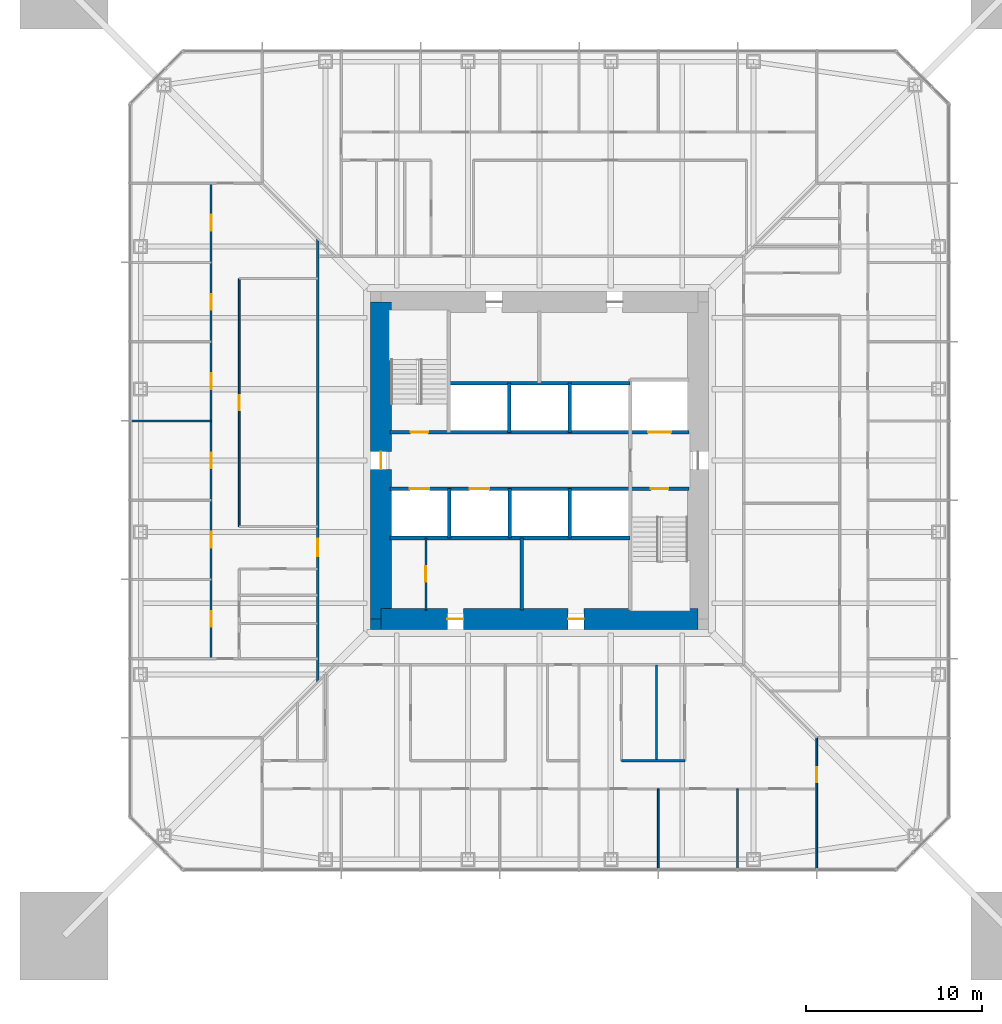
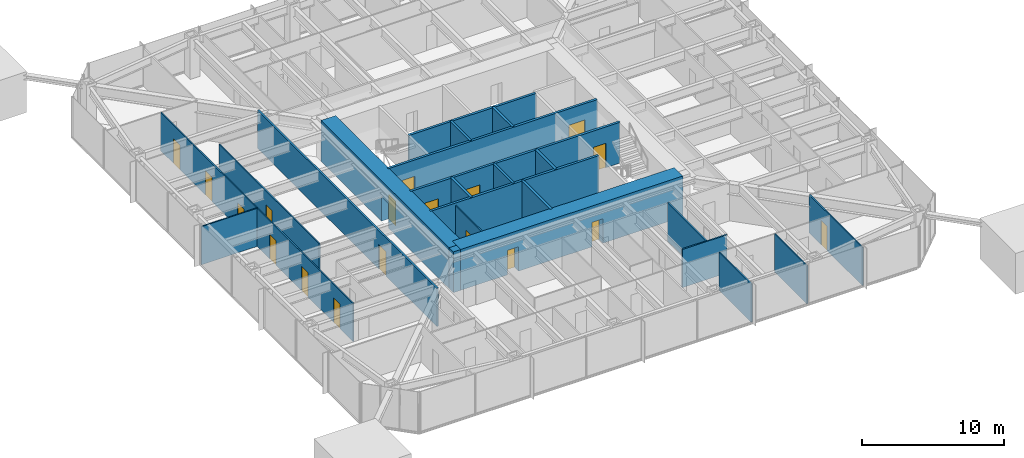
# One storey, part 15 of 26: 23 walls, 18 doors, 18 openings.
"""IFC4 building model written with IfcOpenShell, lengths in metres."""

import ifcopenshell
import ifcopenshell.guid

model = None  # the IFC model being written
_history = None  # IfcOwnerHistory: only IFC2X3 demands one
_inside = {}  # id of a spatial element -> (the spatial element, [elements in it])
_under = {}  # id of a project, library or spatial element -> (it, [spatial elements below it])
_declared = {}  # id of a project -> (the project, [libraries it declares])
_typed = {}  # id of a type object -> (the type object, [elements of that type])
_made_of = {}  # id of a material, layer set ... -> (it, [elements and type objects made of it])


def new_model(schema):
    """Start an empty IFC model of exactly this schema.

    Asked for "IFC4X3", IfcOpenShell would pick the latest addendum, in which some entities
    have other attributes; the version numbers below select the first issue.
    IFC2X3 requires an IfcOwnerHistory on every rooted entity: one is made here for all.
    """
    global model, _history
    if schema == "IFC4X3":
        model = ifcopenshell.file(schema_version=(4, 3, 0, 0))
    else:
        model = ifcopenshell.file(schema=schema)
    _inside.clear()
    _under.clear()
    _declared.clear()
    _typed.clear()
    _made_of.clear()
    _history = None
    if model.schema == "IFC2X3":
        org = make("IfcOrganization", Name="unknown")
        user = make(
            "IfcPersonAndOrganization",
            ThePerson=make("IfcPerson", FamilyName="unknown"),
            TheOrganization=org,
        )
        app = make(
            "IfcApplication",
            ApplicationDeveloper=org,
            Version="unknown",
            ApplicationFullName="unknown",
            ApplicationIdentifier="unknown",
        )
        _history = make(
            "IfcOwnerHistory",
            OwningUser=user,
            OwningApplication=app,
            ChangeAction="ADDED",
            CreationDate=0,
        )
    return model


def make(cls, **values):
    """One entity of the class cls with the attributes given. An attribute that is None is left unset."""
    return model.create_entity(
        cls, **{name: value for name, value in values.items() if value is not None}
    )


def rooted(cls, **values):
    """An entity with a GlobalId (a new one), such as an element, a storey or a relation."""
    return make(cls, GlobalId=ifcopenshell.guid.new(), OwnerHistory=_history, **values)


def si_unit(unit_type, name, prefix=None):
    """IfcSIUnit, for example si_unit("LENGTHUNIT", "METRE", prefix="MILLI")."""
    return make("IfcSIUnit", UnitType=unit_type, Prefix=prefix, Name=name)


def assignment(units):
    """IfcUnitAssignment: the units of a project."""
    return None if units is None else make("IfcUnitAssignment", Units=units)


def point(xyz):
    """IfcCartesianPoint."""
    return None if xyz is None else make("IfcCartesianPoint", Coordinates=xyz)


def direction(xyz):
    """IfcDirection."""
    return None if xyz is None else make("IfcDirection", DirectionRatios=xyz)


def frame(location, z_axis=None, x_axis=None):
    """IfcAxis2Placement3D, a coordinate frame: its origin and axes. An axis left out is left unset."""
    return make(
        "IfcAxis2Placement3D",
        Location=point(location),
        Axis=direction(z_axis),
        RefDirection=direction(x_axis),
    )


def frame_2d(location, x_axis=None):
    """IfcAxis2Placement2D, a coordinate frame in the plane: its origin and x axis."""
    return make(
        "IfcAxis2Placement2D", Location=point(location), RefDirection=direction(x_axis)
    )


def origin():
    """The frame at (0, 0, 0) with its axes left unset."""
    return frame((0.0, 0.0, 0.0))


def place(relative_to, where):
    """IfcLocalPlacement: puts the frame where relative to a parent placement (None: the world)."""
    return make(
        "IfcLocalPlacement", PlacementRelTo=relative_to, RelativePlacement=where
    )


def context(
    kind, dimensions, precision=None, world=None, true_north=None, identifier=None
):
    """IfcGeometricRepresentationContext, for example the 3D "Model" context."""
    return make(
        "IfcGeometricRepresentationContext",
        ContextIdentifier=identifier,
        ContextType=kind,
        CoordinateSpaceDimension=dimensions,
        Precision=precision,
        WorldCoordinateSystem=world,
        TrueNorth=true_north,
    )


def subcontext(parent, identifier, kind, view, scale=None):
    """IfcGeometricRepresentationSubContext, for example "Body" below "Model"."""
    return make(
        "IfcGeometricRepresentationSubContext",
        ContextIdentifier=identifier,
        ContextType=kind,
        ParentContext=parent,
        TargetScale=scale,
        TargetView=view,
    )


def project(units=None, contexts=None):
    """IfcProject with its units and contexts."""
    return rooted(
        "IfcProject",
        Name="project",
        RepresentationContexts=contexts,
        UnitsInContext=assignment(units),
    )


def spatial(cls, under=None, at=None, **own):
    """A site, building, storey or space (cls), placed at a placement, below another one or the project."""
    s = rooted(cls, ObjectPlacement=at, **own)
    if under is not None:
        _under.setdefault(under.id(), (under, []))[1].append(s)
    return s


def profile(cls, at=None, kind="AREA", **sizes):
    """A parametric profile (cls). Its sizes go by their IFC names, for example OverallWidth=200.0."""
    return make(cls, ProfileType=kind, Position=at, **sizes)


def rectangle(**sizes):
    """IfcRectangleProfileDef."""
    return profile("IfcRectangleProfileDef", **sizes)


def extrude(swept, where, along, depth):
    """IfcExtrudedAreaSolid: the profile swept, set in the frame where, extruded along a direction by depth."""
    return make(
        "IfcExtrudedAreaSolid",
        SweptArea=swept,
        Position=where,
        ExtrudedDirection=direction(along),
        Depth=depth,
    )


def shape(context_of_items, identifier, shape_type, items):
    """IfcShapeRepresentation: the items that make up one representation, for example the "Body"."""
    return make(
        "IfcShapeRepresentation",
        ContextOfItems=context_of_items,
        RepresentationIdentifier=identifier,
        RepresentationType=shape_type,
        Items=items,
    )


def material(Name=None, Category=None):
    """IfcMaterial."""
    return make("IfcMaterial", Name=Name, Category=Category)


def layer(
    of_material, thickness, ventilated=None, Name=None, Category=None, Priority=None
):
    """IfcMaterialLayer: one layer of a wall or slab, of a material (None: an air gap)."""
    return make(
        "IfcMaterialLayer",
        Material=of_material,
        LayerThickness=thickness,
        IsVentilated=ventilated,
        Name=Name,
        Category=Category,
        Priority=Priority,
    )


def layer_set(layers, Name=None):
    """IfcMaterialLayerSet."""
    return make("IfcMaterialLayerSet", MaterialLayers=layers, LayerSetName=Name)


def made_of(thing, what):
    """Note that an element or type object is made of a material, layer set ...; save() writes the relation."""
    if what is not None:
        _made_of.setdefault(what.id(), (what, []))[1].append(thing)
    return thing


def type_object(cls, material=None, **own):
    """A type object (cls), such as IfcWallType, which elements share."""
    return made_of(rooted(cls, **own), material)


def element(
    cls,
    number,
    at=None,
    inside=None,
    cuts=None,
    type_object=None,
    material=None,
    context=None,
    identifier="Body",
    shape_type=None,
    held_by="IfcProductDefinitionShape",
    body=None,
    shapes=None,
    **own,
):
    """One element of the class cls, such as IfcWall. Its Tag is "e" and its number.

    at: its placement. inside: the storey or other place that contains it. cuts: it is an
    opening in that element (IfcRelVoidsElement). A single representation is given by context,
    identifier, shape_type and body (its items); several are given by shapes. held_by: the class
    of the entity that holds the representations. save() writes the other relations.
    """
    e = rooted(cls, Tag="e%d" % number, ObjectPlacement=at, **own)
    if body is not None:
        shapes = [shape(context, identifier, shape_type, body)]
    if shapes is not None:
        e.Representation = make(held_by, Representations=shapes)
    if inside is not None:
        _inside.setdefault(inside.id(), (inside, []))[1].append(e)
    if cuts is not None:
        rooted(
            "IfcRelVoidsElement", RelatingBuildingElement=cuts, RelatedOpeningElement=e
        )
    if type_object is not None:
        _typed.setdefault(type_object.id(), (type_object, []))[1].append(e)
    return made_of(e, material)


def fill(opening, filler):
    """IfcRelFillsElement: the door or window that sits in an opening."""
    return rooted(
        "IfcRelFillsElement",
        RelatingOpeningElement=opening,
        RelatedBuildingElement=filler,
    )


def aggregate(whole, parts):
    """IfcRelAggregates: a whole, such as a stair, and the parts it consists of."""
    return rooted("IfcRelAggregates", RelatingObject=whole, RelatedObjects=parts)


def save(model, path):
    """Write the relations noted so far, then the file.

    IfcRelAggregates (storeys below a building ...), IfcRelContainedInSpatialStructure (elements
    in a storey), IfcRelDefinesByType, IfcRelAssociatesMaterial and IfcRelDeclares: one each for
    every whole, place, type object, material and project.
    """
    for whole, parts in _under.values():
        aggregate(whole, parts)
    for where, things in _inside.values():
        rooted(
            "IfcRelContainedInSpatialStructure",
            RelatedElements=things,
            RelatingStructure=where,
        )
    for kind, things in _typed.values():
        rooted("IfcRelDefinesByType", RelatedObjects=things, RelatingType=kind)
    for what, things in _made_of.values():
        rooted("IfcRelAssociatesMaterial", RelatedObjects=things, RelatingMaterial=what)
    for by, libraries in _declared.values():
        rooted("IfcRelDeclares", RelatingContext=by, RelatedDefinitions=libraries)
    model.write(path)


model = new_model("IFC4")

# Units and contexts
model_context = context("Model", 3, precision=1e-05, world=origin(), true_north=direction((0.0, 1.0)))
body_context = subcontext(model_context, "Body", "Model", "MODEL_VIEW")
ifc_project = project(units=[si_unit("LENGTHUNIT", "METRE"), si_unit("AREAUNIT", "SQUARE_METRE"), si_unit("VOLUMEUNIT", "CUBIC_METRE"), si_unit("PLANEANGLEUNIT", "RADIAN"), si_unit("MASSUNIT", "GRAM", prefix="KILO")], contexts=[model_context])

# Site, building, storey
site_placement = place(None, origin())
site = spatial("IfcSite", under=ifc_project, at=site_placement, CompositionType="ELEMENT")
building_placement = place(site_placement, origin())
building = spatial("IfcBuilding", under=site, at=building_placement, Name="Iwan Alto Co-Living Towers", CompositionType="ELEMENT")
storey_placement = place(building_placement, frame((0.0, 0.0, 46.5)))
storey = spatial("IfcBuildingStorey", under=building, at=storey_placement, Name="L12", CompositionType="ELEMENT", Elevation=46.5)

# Wall, opening, door
ifc_material_1 = material(Name="Gypsum board")
ifc_layer_1 = layer(ifc_material_1, 0.02490234375, Name="Board", Category="Finish")
ifc_material_2 = material(Name="Steel ASTM A1003 ST33H cold-formed studs", Category="steel")
ifc_layer_2 = layer(ifc_material_2, 0.10009765625, Name="Studs", Category="Framing")
ifc_layer_3 = layer(ifc_material_1, 0.02490234375, Name="Board", Category="Finish")
ifc_layer_set_1 = layer_set([ifc_layer_1, ifc_layer_2, ifc_layer_3], Name="CORRIDOR WALL 150")
wall_type_1 = type_object("IfcWallType", Name="CORRIDOR WALL 150", PredefinedType="PARTITIONING", material=ifc_layer_set_1)
wall_1_placement = place(storey_placement, frame((-12.60009765625, -12.60009765625, 0.0), z_axis=(0.0, 0.0, 1.0), x_axis=(0.0, 1.0, 0.0)))
wall_1 = element("IfcWall", 1, at=wall_1_placement, inside=storey, type_object=wall_type_1, Name="Partition L12", PredefinedType="PARTITIONING", context=body_context, shape_type="SweptSolid", body=[
    extrude(rectangle(XDim=25.2001953125, YDim=0.14990234375, at=frame_2d((12.60009765625, 0.0))), origin(), (0.0, 0.0, 1.0), 3.27001953125),
])
opening_1_placement = place(wall_1_placement, frame((7.14990234375, 0.0, 0.0)))
opening_1 = element("IfcOpeningElement", 2, at=opening_1_placement, cuts=wall_1, Name="Opening D3", PredefinedType="OPENING", context=body_context, shape_type="SweptSolid", body=[
    extrude(rectangle(XDim=1.0, YDim=2.10009765625, at=frame_2d((0.5, 1.050048828125))), frame((0.0, 0.0849609375, 0.0), z_axis=(0.0, -1.0, 0.0), x_axis=(1.0, 0.0, 0.0)), (0.0, 0.0, 1.0), 0.169921875),
])
ifc_material_3 = material(Name="Steel frame with timber leaf", Category="steel")
door_type_1 = type_object("IfcDoorType", Name="FLAT ENTRANCE DOOR FD30S 1000X2100", OperationType="SINGLE_SWING_LEFT", PredefinedType="DOOR", material=ifc_material_3)
door_1_placement = place(opening_1_placement, origin())
door_1 = element("IfcDoor", 3, at=door_1_placement, inside=storey, type_object=door_type_1, Name="Cluster lounge and shared kitchen door L12", OperationType="SINGLE_SWING_LEFT", OverallHeight=2.10009765625, OverallWidth=1.0, PredefinedType="DOOR", context=body_context, shape_type="SweptSolid", body=[
    extrude(rectangle(XDim=1.0, YDim=2.10009765625, at=frame_2d((0.5, 1.050048828125))), frame((0.0, 0.02490234375, 0.0), z_axis=(0.0, -1.0, 0.0), x_axis=(1.0, 0.0, 0.0)), (0.0, 0.0, 1.0), 0.050048828125),
])
fill(opening_1, door_1)

# Wall
ifc_layer_4 = layer(ifc_material_1, 0.012451171875, Name="Board", Category="Finish")
ifc_layer_5 = layer(ifc_material_2, 0.074951171875, Name="Studs", Category="Framing")
ifc_layer_6 = layer(ifc_material_1, 0.012451171875, Name="Board", Category="Finish")
ifc_layer_set_2 = layer_set([ifc_layer_4, ifc_layer_5, ifc_layer_6], Name="PARTITION 100")
wall_type_2 = type_object("IfcWallType", Name="PARTITION 100", PredefinedType="PARTITIONING", material=ifc_layer_set_2)
wall_2_placement = place(storey_placement, frame((-23.18994140625, 2.25, 0.0), z_axis=(0.0, 0.0, 1.0), x_axis=(1.0, 0.0, 0.0)))
element("IfcWall", 4, at=wall_2_placement, inside=storey, type_object=wall_type_2, Name="Partition L12", PredefinedType="PARTITIONING", context=body_context, shape_type="SweptSolid", body=[
    extrude(rectangle(XDim=4.5400390625, YDim=0.10009765625, at=frame_2d((2.27001953125, 0.0))), origin(), (0.0, 0.0, 1.0), 3.27001953125),
])

# Wall, opening, door
wall_3_placement = place(storey_placement, frame((15.75, -23.18994140625, 0.0), z_axis=(0.0, 0.0, 1.0), x_axis=(0.0, 1.0, 0.0)))
wall_3 = element("IfcWall", 5, at=wall_3_placement, inside=storey, type_object=wall_type_2, Name="Partition L12", PredefinedType="PARTITIONING", context=body_context, shape_type="SweptSolid", body=[
    extrude(rectangle(XDim=7.43994140625, YDim=0.10009765625, at=frame_2d((3.719970703125, 0.0))), origin(), (0.0, 0.0, 1.0), 3.27001953125),
])
opening_2_placement = place(wall_3_placement, frame((4.9150390625, 0.0, 0.0)))
opening_2 = element("IfcOpeningElement", 6, at=opening_2_placement, cuts=wall_3, Name="Opening D2", PredefinedType="OPENING", context=body_context, shape_type="SweptSolid", body=[
    extrude(rectangle(XDim=0.85009765625, YDim=2.10009765625, at=frame_2d((0.425048828125, 1.050048828125))), frame((0.0, 0.06005859375, 0.0), z_axis=(0.0, -1.0, 0.0), x_axis=(1.0, 0.0, 0.0)), (0.0, 0.0, 1.0), 0.1201171875),
])
ifc_material_4 = material(Name="Timber leaf in steel frame", Category="steel")
door_type_2 = type_object("IfcDoorType", Name="ROOM DOOR 850X2100", OperationType="SINGLE_SWING_LEFT", PredefinedType="DOOR", material=ifc_material_4)
door_2_placement = place(opening_2_placement, origin())
door_2 = element("IfcDoor", 7, at=door_2_placement, inside=storey, type_object=door_type_2, Name="Shared kitchen and dining room door L12", OperationType="SINGLE_SWING_LEFT", OverallHeight=2.10009765625, OverallWidth=0.85009765625, PredefinedType="DOOR", context=body_context, shape_type="SweptSolid", body=[
    extrude(rectangle(XDim=0.85009765625, YDim=2.10009765625, at=frame_2d((0.425048828125, 1.050048828125))), frame((0.0, 0.02490234375, 0.0), z_axis=(0.0, -1.0, 0.0), x_axis=(1.0, 0.0, 0.0)), (0.0, 0.0, 1.0), 0.050048828125),
])
fill(opening_2, door_2)

# Walls
for number, where, z_axis, x_axis, name in (
    (8, (11.25, -23.18994140625, 0.0), (0.0, 0.0, 1.0), (0.0, 1.0, 0.0), "Partition L12"),
    (9, (6.75, -23.18994140625, 0.0), (0.0, 0.0, 1.0), (0.0, 1.0, 0.0), "Partition L12"),
):
    element("IfcWall", number, at=place(storey_placement, frame(where, z_axis=z_axis, x_axis=x_axis)), inside=storey, type_object=wall_type_2, Name=name, PredefinedType="PARTITIONING", context=body_context, shape_type="SweptSolid", body=[
        extrude(rectangle(XDim=4.5400390625, YDim=0.10009765625, at=frame_2d((2.27001953125, 0.0))), origin(), (0.0, 0.0, 1.0), 3.27001953125),
    ])

# Wall, opening, door
wall_4_placement = place(storey_placement, frame((-6.449951171875, -8.489990234375, 0.0), z_axis=(0.0, 0.0, 1.0), x_axis=(0.0, 1.0, 0.0)))
wall_4 = element("IfcWall", 10, at=wall_4_placement, inside=storey, type_object=wall_type_2, Name="Partition L12", PredefinedType="PARTITIONING", context=body_context, shape_type="SweptSolid", body=[
    extrude(rectangle(XDim=4.090087890625, YDim=0.10009765625, at=frame_2d((2.044921875, 0.0))), origin(), (0.0, 0.0, 1.0), 3.300048828125),
])
opening_3_placement = place(wall_4_placement, frame((1.594970703125, 0.0, 0.0)))
opening_3 = element("IfcOpeningElement", 11, at=opening_3_placement, cuts=wall_4, Name="Opening D16", PredefinedType="OPENING", context=body_context, shape_type="SweptSolid", body=[
    extrude(rectangle(XDim=0.89990234375, YDim=2.10009765625, at=frame_2d((0.449951171875, 1.050048828125))), frame((0.0, 0.06005859375, 0.0), z_axis=(0.0, -1.0, 0.0), x_axis=(1.0, 0.0, 0.0)), (0.0, 0.0, 1.0), 0.1201171875),
])
ifc_material_5 = material(Name="Timber leaf in steel frame", Category="steel")
door_type_3 = type_object("IfcDoorType", Name="CUPBOARD SLIDING DOOR 900X2100", OperationType="SLIDING_TO_LEFT", PredefinedType="DOOR", material=ifc_material_5)
door_3_placement = place(opening_3_placement, origin())
door_3 = element("IfcDoor", 12, at=door_3_placement, inside=storey, type_object=door_type_3, Name="Cleaner's store door L12", OperationType="SLIDING_TO_LEFT", OverallHeight=2.10009765625, OverallWidth=0.89990234375, PredefinedType="DOOR", context=body_context, shape_type="SweptSolid", body=[
    extrude(rectangle(XDim=0.89990234375, YDim=2.10009765625, at=frame_2d((0.449951171875, 1.050048828125))), frame((0.0, 0.02490234375, 0.0), z_axis=(0.0, -1.0, 0.0), x_axis=(1.0, 0.0, 0.0)), (0.0, 0.0, 1.0), 0.050048828125),
])
fill(opening_3, door_3)

wall_5_placement = place(storey_placement, frame((-17.050048828125, -3.75, 0.0), z_axis=(0.0, 0.0, 1.0), x_axis=(0.0, 1.0, 0.0)))
wall_5 = element("IfcWall", 13, at=wall_5_placement, inside=storey, type_object=wall_type_2, Name="Partition L12", PredefinedType="PARTITIONING", context=body_context, shape_type="SweptSolid", body=[
    extrude(rectangle(XDim=14.080078125, YDim=0.10009765625, at=frame_2d((7.0400390625, 0.0))), origin(), (0.0, 0.0, 1.0), 3.27001953125),
])
opening_4_placement = place(wall_5_placement, frame((6.614990234375, 0.0, 0.0)))
opening_4 = element("IfcOpeningElement", 14, at=opening_4_placement, cuts=wall_5, Name="Opening D2", PredefinedType="OPENING", context=body_context, shape_type="SweptSolid", body=[
    extrude(rectangle(XDim=0.85009765625, YDim=2.10009765625, at=frame_2d((0.425048828125, 1.050048828125))), frame((0.0, 0.06005859375, 0.0), z_axis=(0.0, -1.0, 0.0), x_axis=(1.0, 0.0, 0.0)), (0.0, 0.0, 1.0), 0.1201171875),
])
door_4_placement = place(opening_4_placement, origin())
door_4 = element("IfcDoor", 15, at=door_4_placement, inside=storey, type_object=door_type_2, Name="Study lounge door L12", OperationType="SINGLE_SWING_RIGHT", OverallHeight=2.10009765625, OverallWidth=0.85009765625, PredefinedType="DOOR", context=body_context, shape_type="SweptSolid", body=[
    extrude(rectangle(XDim=0.85009765625, YDim=2.10009765625, at=frame_2d((0.425048828125, 1.050048828125))), frame((0.0, 0.02490234375, 0.0), z_axis=(0.0, -1.0, 0.0), x_axis=(1.0, 0.0, 0.0)), (0.0, 0.0, 1.0), 0.050048828125),
])
fill(opening_4, door_4)

# Wall, openings, doors
wall_6_placement = place(storey_placement, frame((-18.64990234375, -11.25, 0.0), z_axis=(0.0, 0.0, 1.0), x_axis=(0.0, 1.0, 0.0)))
wall_6 = element("IfcWall", 16, at=wall_6_placement, inside=storey, type_object=wall_type_2, Name="Partition L12", PredefinedType="PARTITIONING", context=body_context, shape_type="SweptSolid", body=[
    extrude(rectangle(XDim=27.0, YDim=0.10009765625, at=frame_2d((13.5, 0.0))), origin(), (0.0, 0.0, 1.0), 3.27001953125),
])
opening_5_placement = place(wall_6_placement, frame((24.300048828125, 0.0, 0.0)))
opening_5 = element("IfcOpeningElement", 17, at=opening_5_placement, cuts=wall_6, Name="Opening D1", PredefinedType="OPENING", context=body_context, shape_type="SweptSolid", body=[
    extrude(rectangle(XDim=0.89990234375, YDim=2.10009765625, at=frame_2d((0.449951171875, 1.050048828125))), frame((0.0, 0.06005859375, 0.0), z_axis=(0.0, -1.0, 0.0), x_axis=(1.0, 0.0, 0.0)), (0.0, 0.0, 1.0), 0.1201171875),
])
opening_6_placement = place(wall_6_placement, frame((19.800048828125, 0.0, 0.0)))
opening_6 = element("IfcOpeningElement", 18, at=opening_6_placement, cuts=wall_6, Name="Opening D1", PredefinedType="OPENING", context=body_context, shape_type="SweptSolid", body=[
    extrude(rectangle(XDim=0.89990234375, YDim=2.10009765625, at=frame_2d((0.449951171875, 1.050048828125))), frame((0.0, 0.06005859375, 0.0), z_axis=(0.0, -1.0, 0.0), x_axis=(1.0, 0.0, 0.0)), (0.0, 0.0, 1.0), 0.1201171875),
])
opening_7_placement = place(wall_6_placement, frame((15.300048828125, 0.0, 0.0)))
opening_7 = element("IfcOpeningElement", 19, at=opening_7_placement, cuts=wall_6, Name="Opening D1", PredefinedType="OPENING", context=body_context, shape_type="SweptSolid", body=[
    extrude(rectangle(XDim=0.89990234375, YDim=2.10009765625, at=frame_2d((0.449951171875, 1.050048828125))), frame((0.0, 0.06005859375, 0.0), z_axis=(0.0, -1.0, 0.0), x_axis=(1.0, 0.0, 0.0)), (0.0, 0.0, 1.0), 0.1201171875),
])
opening_8_placement = place(wall_6_placement, frame((10.800048828125, 0.0, 0.0)))
opening_8 = element("IfcOpeningElement", 20, at=opening_8_placement, cuts=wall_6, Name="Opening D1", PredefinedType="OPENING", context=body_context, shape_type="SweptSolid", body=[
    extrude(rectangle(XDim=0.89990234375, YDim=2.10009765625, at=frame_2d((0.449951171875, 1.050048828125))), frame((0.0, 0.06005859375, 0.0), z_axis=(0.0, -1.0, 0.0), x_axis=(1.0, 0.0, 0.0)), (0.0, 0.0, 1.0), 0.1201171875),
])
opening_9_placement = place(wall_6_placement, frame((6.300048828125, 0.0, 0.0)))
opening_9 = element("IfcOpeningElement", 21, at=opening_9_placement, cuts=wall_6, Name="Opening D1", PredefinedType="OPENING", context=body_context, shape_type="SweptSolid", body=[
    extrude(rectangle(XDim=0.89990234375, YDim=2.10009765625, at=frame_2d((0.449951171875, 1.050048828125))), frame((0.0, 0.06005859375, 0.0), z_axis=(0.0, -1.0, 0.0), x_axis=(1.0, 0.0, 0.0)), (0.0, 0.0, 1.0), 0.1201171875),
])
opening_10_placement = place(wall_6_placement, frame((1.800048828125, 0.0, 0.0)))
opening_10 = element("IfcOpeningElement", 22, at=opening_10_placement, cuts=wall_6, Name="Opening D1", PredefinedType="OPENING", context=body_context, shape_type="SweptSolid", body=[
    extrude(rectangle(XDim=0.89990234375, YDim=2.10009765625, at=frame_2d((0.449951171875, 1.050048828125))), frame((0.0, 0.06005859375, 0.0), z_axis=(0.0, -1.0, 0.0), x_axis=(1.0, 0.0, 0.0)), (0.0, 0.0, 1.0), 0.1201171875),
])
ifc_material_6 = material(Name="Timber leaf in steel frame", Category="steel")
door_type_4 = type_object("IfcDoorType", Name="BEDROOM DOOR 900X2100", OperationType="SINGLE_SWING_LEFT", PredefinedType="DOOR", material=ifc_material_6)
door_5_placement = place(opening_5_placement, frame((0.89990234375, 0.0, 0.0), z_axis=(0.0, 0.0, 1.0), x_axis=(-1.0, 0.0, 0.0)))
door_5 = element("IfcDoor", 23, at=door_5_placement, inside=storey, type_object=door_type_4, Name="Study bedroom door L12", OperationType="SINGLE_SWING_LEFT", OverallHeight=2.10009765625, OverallWidth=0.89990234375, PredefinedType="DOOR", context=body_context, shape_type="SweptSolid", body=[
    extrude(rectangle(XDim=0.89990234375, YDim=2.10009765625, at=frame_2d((0.449951171875, 1.050048828125))), frame((0.0, 0.02490234375, 0.0), z_axis=(0.0, -1.0, 0.0), x_axis=(1.0, 0.0, 0.0)), (0.0, 0.0, 1.0), 0.050048828125),
])
fill(opening_5, door_5)
door_6_placement = place(opening_6_placement, frame((0.89990234375, 0.0, 0.0), z_axis=(0.0, 0.0, 1.0), x_axis=(-1.0, 0.0, 0.0)))
door_6 = element("IfcDoor", 24, at=door_6_placement, inside=storey, type_object=door_type_4, Name="Study bedroom door L12", OperationType="SINGLE_SWING_LEFT", OverallHeight=2.10009765625, OverallWidth=0.89990234375, PredefinedType="DOOR", context=body_context, shape_type="SweptSolid", body=[
    extrude(rectangle(XDim=0.89990234375, YDim=2.10009765625, at=frame_2d((0.449951171875, 1.050048828125))), frame((0.0, 0.02490234375, 0.0), z_axis=(0.0, -1.0, 0.0), x_axis=(1.0, 0.0, 0.0)), (0.0, 0.0, 1.0), 0.050048828125),
])
fill(opening_6, door_6)
door_7_placement = place(opening_7_placement, frame((0.89990234375, 0.0, 0.0), z_axis=(0.0, 0.0, 1.0), x_axis=(-1.0, 0.0, 0.0)))
door_7 = element("IfcDoor", 25, at=door_7_placement, inside=storey, type_object=door_type_4, Name="Study bedroom door L12", OperationType="SINGLE_SWING_LEFT", OverallHeight=2.10009765625, OverallWidth=0.89990234375, PredefinedType="DOOR", context=body_context, shape_type="SweptSolid", body=[
    extrude(rectangle(XDim=0.89990234375, YDim=2.10009765625, at=frame_2d((0.449951171875, 1.050048828125))), frame((0.0, 0.02490234375, 0.0), z_axis=(0.0, -1.0, 0.0), x_axis=(1.0, 0.0, 0.0)), (0.0, 0.0, 1.0), 0.050048828125),
])
fill(opening_7, door_7)
door_8_placement = place(opening_8_placement, frame((0.89990234375, 0.0, 0.0), z_axis=(0.0, 0.0, 1.0), x_axis=(-1.0, 0.0, 0.0)))
door_8 = element("IfcDoor", 26, at=door_8_placement, inside=storey, type_object=door_type_4, Name="Study bedroom door L12", OperationType="SINGLE_SWING_RIGHT", OverallHeight=2.10009765625, OverallWidth=0.89990234375, PredefinedType="DOOR", context=body_context, shape_type="SweptSolid", body=[
    extrude(rectangle(XDim=0.89990234375, YDim=2.10009765625, at=frame_2d((0.449951171875, 1.050048828125))), frame((0.0, 0.02490234375, 0.0), z_axis=(0.0, -1.0, 0.0), x_axis=(1.0, 0.0, 0.0)), (0.0, 0.0, 1.0), 0.050048828125),
])
fill(opening_8, door_8)
door_9_placement = place(opening_9_placement, frame((0.89990234375, 0.0, 0.0), z_axis=(0.0, 0.0, 1.0), x_axis=(-1.0, 0.0, 0.0)))
door_9 = element("IfcDoor", 27, at=door_9_placement, inside=storey, type_object=door_type_4, Name="Study bedroom door L12", OperationType="SINGLE_SWING_RIGHT", OverallHeight=2.10009765625, OverallWidth=0.89990234375, PredefinedType="DOOR", context=body_context, shape_type="SweptSolid", body=[
    extrude(rectangle(XDim=0.89990234375, YDim=2.10009765625, at=frame_2d((0.449951171875, 1.050048828125))), frame((0.0, 0.02490234375, 0.0), z_axis=(0.0, -1.0, 0.0), x_axis=(1.0, 0.0, 0.0)), (0.0, 0.0, 1.0), 0.050048828125),
])
fill(opening_9, door_9)
door_10_placement = place(opening_10_placement, frame((0.89990234375, 0.0, 0.0), z_axis=(0.0, 0.0, 1.0), x_axis=(-1.0, 0.0, 0.0)))
door_10 = element("IfcDoor", 28, at=door_10_placement, inside=storey, type_object=door_type_4, Name="Study bedroom door L12", OperationType="SINGLE_SWING_RIGHT", OverallHeight=2.10009765625, OverallWidth=0.89990234375, PredefinedType="DOOR", context=body_context, shape_type="SweptSolid", body=[
    extrude(rectangle(XDim=0.89990234375, YDim=2.10009765625, at=frame_2d((0.449951171875, 1.050048828125))), frame((0.0, 0.02490234375, 0.0), z_axis=(0.0, -1.0, 0.0), x_axis=(1.0, 0.0, 0.0)), (0.0, 0.0, 1.0), 0.050048828125),
])
fill(opening_10, door_10)

# Wall
ifc_material_7 = material(Name="Concrete f'c 70 MPa", Category="concrete")
ifc_layer_7 = layer(ifc_material_7, 0.199951171875)
ifc_layer_set_3 = layer_set([ifc_layer_7], Name="SHAFT WALL 200")
wall_type_3 = type_object("IfcWallType", Name="SHAFT WALL 200", PredefinedType="SOLIDWALL", material=ifc_layer_set_3)
wall_7_placement = place(storey_placement, frame((-8.489990234375, -4.39990234375, 0.0), z_axis=(0.0, 0.0, 1.0), x_axis=(1.0, 0.0, 0.0)))
element("IfcWall", 29, at=wall_7_placement, inside=storey, type_object=wall_type_3, Name="Shaft wall L12", PredefinedType="SOLIDWALL", context=body_context, shape_type="SweptSolid", body=[
    extrude(rectangle(XDim=13.639892578125, YDim=0.199951171875, at=frame_2d((6.81982421875, 0.0))), origin(), (0.0, 0.0, 1.0), 3.5),
])

# Wall, openings, doors
wall_8_placement = place(storey_placement, frame((-8.489990234375, -1.60009765625, 0.0), z_axis=(0.0, 0.0, 1.0), x_axis=(1.0, 0.0, 0.0)))
wall_8 = element("IfcWall", 30, at=wall_8_placement, inside=storey, type_object=wall_type_3, Name="Shaft wall L12", PredefinedType="SOLIDWALL", context=body_context, shape_type="SweptSolid", body=[
    extrude(rectangle(XDim=16.97998046875, YDim=0.199951171875, at=frame_2d((8.489990234375, 0.0))), origin(), (0.0, 0.0, 1.0), 3.5),
])
opening_11_placement = place(wall_8_placement, frame((14.81005859375, 0.0, 0.0)))
opening_11 = element("IfcOpeningElement", 31, at=opening_11_placement, cuts=wall_8, Name="Opening D5", PredefinedType="OPENING", context=body_context, shape_type="SweptSolid", body=[
    extrude(rectangle(XDim=1.0, YDim=2.10009765625, at=frame_2d((0.5, 1.050048828125))), frame((0.0, 0.10986328125, 0.0), z_axis=(0.0, -1.0, 0.0), x_axis=(1.0, 0.0, 0.0)), (0.0, 0.0, 1.0), 0.219970703125),
])
opening_12_placement = place(wall_8_placement, frame((1.133056640625, 0.0, 0.0)))
opening_12 = element("IfcOpeningElement", 32, at=opening_12_placement, cuts=wall_8, Name="Opening LD", PredefinedType="OPENING", context=body_context, shape_type="SweptSolid", body=[
    extrude(rectangle(XDim=1.10009765625, YDim=2.10009765625, at=frame_2d((0.550048828125, 1.050048828125))), frame((0.0, 0.10986328125, 0.0), z_axis=(0.0, -1.0, 0.0), x_axis=(1.0, 0.0, 0.0)), (0.0, 0.0, 1.0), 0.219970703125),
])
opening_13_placement = place(wall_8_placement, frame((4.528076171875, 0.0, 0.0)))
opening_13 = element("IfcOpeningElement", 33, at=opening_13_placement, cuts=wall_8, Name="Opening LD", PredefinedType="OPENING", context=body_context, shape_type="SweptSolid", body=[
    extrude(rectangle(XDim=1.10009765625, YDim=2.10009765625, at=frame_2d((0.550048828125, 1.050048828125))), frame((0.0, 0.10986328125, 0.0), z_axis=(0.0, -1.0, 0.0), x_axis=(1.0, 0.0, 0.0)), (0.0, 0.0, 1.0), 0.219970703125),
])
ifc_material_8 = material(Name="Steel frame with timber leaf", Category="steel")
door_type_5 = type_object("IfcDoorType", Name="LIFT LANDING DOOR 1100X2100", OperationType="DOUBLE_DOOR_SLIDING", PredefinedType="DOOR", material=ifc_material_8)
door_11_placement = place(opening_12_placement, origin())
door_11 = element("IfcDoor", 34, at=door_11_placement, inside=storey, type_object=door_type_5, Name="Lift P1-1 landing door L12", OperationType="DOUBLE_DOOR_SLIDING", OverallHeight=2.10009765625, OverallWidth=1.10009765625, PredefinedType="DOOR", context=body_context, shape_type="SweptSolid", body=[
    extrude(rectangle(XDim=1.10009765625, YDim=2.10009765625, at=frame_2d((0.550048828125, 1.050048828125))), frame((0.0, 0.02490234375, 0.0), z_axis=(0.0, -1.0, 0.0), x_axis=(1.0, 0.0, 0.0)), (0.0, 0.0, 1.0), 0.050048828125),
])
fill(opening_12, door_11)
door_12_placement = place(opening_13_placement, origin())
door_12 = element("IfcDoor", 35, at=door_12_placement, inside=storey, type_object=door_type_5, Name="Lift P1-2 landing door L12", OperationType="DOUBLE_DOOR_SLIDING", OverallHeight=2.10009765625, OverallWidth=1.10009765625, PredefinedType="DOOR", context=body_context, shape_type="SweptSolid", body=[
    extrude(rectangle(XDim=1.10009765625, YDim=2.10009765625, at=frame_2d((0.550048828125, 1.050048828125))), frame((0.0, 0.02490234375, 0.0), z_axis=(0.0, -1.0, 0.0), x_axis=(1.0, 0.0, 0.0)), (0.0, 0.0, 1.0), 0.050048828125),
])
fill(opening_13, door_12)
ifc_material_9 = material(Name="Steel frame with timber leaf", Category="steel")
door_type_6 = type_object("IfcDoorType", Name="STAIR DOOR FD120S 1000X2100", OperationType="SINGLE_SWING_LEFT", PredefinedType="DOOR", material=ifc_material_9)
door_13_placement = place(opening_11_placement, frame((1.0, 0.0, 0.0), z_axis=(0.0, 0.0, 1.0), x_axis=(-1.0, 0.0, 0.0)))
door_13 = element("IfcDoor", 36, at=door_13_placement, inside=storey, type_object=door_type_6, Name="Stair S2 door L12", OperationType="SINGLE_SWING_RIGHT", OverallHeight=2.10009765625, OverallWidth=1.0, PredefinedType="DOOR", context=body_context, shape_type="SweptSolid", body=[
    extrude(rectangle(XDim=1.0, YDim=2.10009765625, at=frame_2d((0.5, 1.050048828125))), frame((0.0, 0.02490234375, 0.0), z_axis=(0.0, -1.0, 0.0), x_axis=(1.0, 0.0, 0.0)), (0.0, 0.0, 1.0), 0.050048828125),
])
fill(opening_11, door_13)

wall_9_placement = place(storey_placement, frame((-8.489990234375, 1.60009765625, 0.0), z_axis=(0.0, 0.0, 1.0), x_axis=(1.0, 0.0, 0.0)))
wall_9 = element("IfcWall", 37, at=wall_9_placement, inside=storey, type_object=wall_type_3, Name="Shaft wall L12", PredefinedType="SOLIDWALL", context=body_context, shape_type="SweptSolid", body=[
    extrude(rectangle(XDim=16.97998046875, YDim=0.199951171875, at=frame_2d((8.489990234375, 0.0))), origin(), (0.0, 0.0, 1.0), 3.5),
])
opening_14_placement = place(wall_9_placement, frame((1.169921875, 0.0, 0.0)))
opening_14 = element("IfcOpeningElement", 38, at=opening_14_placement, cuts=wall_9, Name="Opening D5", PredefinedType="OPENING", context=body_context, shape_type="SweptSolid", body=[
    extrude(rectangle(XDim=1.0, YDim=2.10009765625, at=frame_2d((0.5, 1.050048828125))), frame((0.0, 0.10986328125, 0.0), z_axis=(0.0, -1.0, 0.0), x_axis=(1.0, 0.0, 0.0)), (0.0, 0.0, 1.0), 0.219970703125),
])
opening_15_placement = place(wall_9_placement, frame((14.659912109375, 0.0, 0.0)))
opening_15 = element("IfcOpeningElement", 39, at=opening_15_placement, cuts=wall_9, Name="Opening LD2", PredefinedType="OPENING", context=body_context, shape_type="SweptSolid", body=[
    extrude(rectangle(XDim=1.300048828125, YDim=2.10009765625, at=frame_2d((0.64990234375, 1.050048828125))), frame((0.0, 0.10986328125, 0.0), z_axis=(0.0, -1.0, 0.0), x_axis=(1.0, 0.0, 0.0)), (0.0, 0.0, 1.0), 0.219970703125),
])
ifc_material_10 = material(Name="Steel frame with timber leaf", Category="steel")
door_type_7 = type_object("IfcDoorType", Name="LIFT LANDING DOOR 1300X2100", OperationType="SLIDING_TO_LEFT", PredefinedType="DOOR", material=ifc_material_10)
door_14_placement = place(opening_15_placement, origin())
door_14 = element("IfcDoor", 40, at=door_14_placement, inside=storey, type_object=door_type_7, Name="Lift FL1 landing door L12", OperationType="SLIDING_TO_LEFT", OverallHeight=2.10009765625, OverallWidth=1.300048828125, PredefinedType="DOOR", context=body_context, shape_type="SweptSolid", body=[
    extrude(rectangle(XDim=1.300048828125, YDim=2.10009765625, at=frame_2d((0.64990234375, 1.050048828125))), frame((0.0, 0.02490234375, 0.0), z_axis=(0.0, -1.0, 0.0), x_axis=(1.0, 0.0, 0.0)), (0.0, 0.0, 1.0), 0.050048828125),
])
fill(opening_15, door_14)
door_15_placement = place(opening_14_placement, origin())
door_15 = element("IfcDoor", 41, at=door_15_placement, inside=storey, type_object=door_type_6, Name="Stair S1 door L12", OperationType="SINGLE_SWING_RIGHT", OverallHeight=2.10009765625, OverallWidth=1.0, PredefinedType="DOOR", context=body_context, shape_type="SweptSolid", body=[
    extrude(rectangle(XDim=1.0, YDim=2.10009765625, at=frame_2d((0.5, 1.050048828125))), frame((0.0, 0.02490234375, 0.0), z_axis=(0.0, -1.0, 0.0), x_axis=(1.0, 0.0, 0.0)), (0.0, 0.0, 1.0), 0.050048828125),
])
fill(opening_14, door_15)

# Walls
wall_10_placement = place(storey_placement, frame((-5.14990234375, 4.39990234375, 0.0), z_axis=(0.0, 0.0, 1.0), x_axis=(1.0, 0.0, 0.0)))
element("IfcWall", 42, at=wall_10_placement, inside=storey, type_object=wall_type_3, Name="Shaft wall L12", PredefinedType="SOLIDWALL", context=body_context, shape_type="SweptSolid", body=[
    extrude(rectangle(XDim=10.2998046875, YDim=0.199951171875, at=frame_2d((5.14990234375, 0.0))), origin(), (0.0, 0.0, 1.0), 3.5),
])
for number, where, z_axis, x_axis, name in (
    (43, (1.72509765625, -4.39990234375, 0.0), (0.0, 0.0, 1.0), (0.0, 1.0, 0.0), "Shaft wall L12"),
    (44, (1.717041015625, 1.60009765625, 0.0), (0.0, 0.0, 1.0), (0.0, 1.0, 0.0), "Shaft wall L12"),
):
    element("IfcWall", number, at=place(storey_placement, frame(where, z_axis=z_axis, x_axis=x_axis)), inside=storey, type_object=wall_type_3, Name=name, PredefinedType="SOLIDWALL", context=body_context, shape_type="SweptSolid", body=[
        extrude(rectangle(XDim=2.7998046875, YDim=0.199951171875, at=frame_2d((1.39990234375, 0.0))), origin(), (0.0, 0.0, 1.0), 3.5),
    ])
wall_11_placement = place(storey_placement, frame((-1.0, -8.489990234375, 0.0), z_axis=(0.0, 0.0, 1.0), x_axis=(0.0, 1.0, 0.0)))
element("IfcWall", 45, at=wall_11_placement, inside=storey, type_object=wall_type_3, Name="Shaft wall L12", PredefinedType="SOLIDWALL", context=body_context, shape_type="SweptSolid", body=[
    extrude(rectangle(XDim=4.090087890625, YDim=0.199951171875, at=frame_2d((2.044921875, 0.0))), origin(), (0.0, 0.0, 1.0), 3.5),
])
for number, where, z_axis, x_axis, name in (
    (46, (-1.699951171875, -4.39990234375, 0.0), (0.0, 0.0, 1.0), (0.0, 1.0, 0.0), "Shaft wall L12"),
    (47, (-1.717041015625, 1.60009765625, 0.0), (0.0, 0.0, 1.0), (0.0, 1.0, 0.0), "Shaft wall L12"),
    (48, (-5.125, -4.39990234375, 0.0), (0.0, 0.0, 1.0), (0.0, 1.0, 0.0), "Shaft wall L12"),
):
    element("IfcWall", number, at=place(storey_placement, frame(where, z_axis=z_axis, x_axis=x_axis)), inside=storey, type_object=wall_type_3, Name=name, PredefinedType="SOLIDWALL", context=body_context, shape_type="SweptSolid", body=[
        extrude(rectangle(XDim=2.7998046875, YDim=0.199951171875, at=frame_2d((1.39990234375, 0.0))), origin(), (0.0, 0.0, 1.0), 3.5),
    ])
ifc_material_11 = material(Name="Concrete f'c 70 MPa", Category="concrete")
ifc_layer_8 = layer(ifc_material_11, 0.60009765625)
ifc_layer_set_4 = layer_set([ifc_layer_8], Name="T1 CORE CORNER FILL 600")
wall_type_4 = type_object("IfcWallType", Name="T1 CORE CORNER FILL 600", PredefinedType="SOLIDWALL", material=ifc_layer_set_4)
wall_12_placement = place(storey_placement, frame((-9.60009765625, -9.300048828125, 0.0), z_axis=(0.0, 0.0, 1.0), x_axis=(1.0, 0.0, 0.0)))
element("IfcWall", 49, at=wall_12_placement, inside=storey, type_object=wall_type_4, Name="T1 core corner SW L12", PredefinedType="SOLIDWALL", context=body_context, shape_type="SweptSolid", body=[
    extrude(rectangle(XDim=0.60009765625, YDim=0.60009765625, at=frame_2d((0.300048828125, 0.0))), origin(), (0.0, 0.0, 1.0), 3.5),
])

# Wall, openings, doors
ifc_material_12 = material(Name="Concrete f'c 70 MPa", Category="concrete")
ifc_layer_9 = layer(ifc_material_12, 1.199951171875)
ifc_layer_set_5 = layer_set([ifc_layer_9], Name="T1 CORE WALL 1200")
wall_type_5 = type_object("IfcWallType", Name="T1 CORE WALL 1200", PredefinedType="SHEAR", material=ifc_layer_set_5)
wall_13_placement = place(storey_placement, frame((-9.0, -9.0, 0.0), z_axis=(0.0, 0.0, 1.0), x_axis=(1.0, 0.0, 0.0)))
wall_13 = element("IfcWall", 50, at=wall_13_placement, inside=storey, type_object=wall_type_5, Name="T1 core wall S L12", PredefinedType="SHEAR", context=body_context, shape_type="SweptSolid", body=[
    extrude(rectangle(XDim=18.0, YDim=1.199951171875, at=frame_2d((9.0, 0.0))), origin(), (0.0, 0.0, 1.0), 3.5),
])
opening_16_placement = place(wall_13_placement, frame((3.77490234375, 0.0, 0.0)))
opening_16 = element("IfcOpeningElement", 51, at=opening_16_placement, cuts=wall_13, Name="Opening D8", PredefinedType="OPENING", context=body_context, shape_type="SweptSolid", body=[
    extrude(rectangle(XDim=0.89990234375, YDim=2.10009765625, at=frame_2d((0.449951171875, 1.050048828125))), frame((0.0, 0.60986328125, 0.0), z_axis=(0.0, -1.0, 0.0), x_axis=(1.0, 0.0, 0.0)), (0.0, 0.0, 1.0), 1.219970703125),
])
opening_17_placement = place(wall_13_placement, frame((10.625, 0.0, 0.0)))
opening_17 = element("IfcOpeningElement", 52, at=opening_17_placement, cuts=wall_13, Name="Opening D8", PredefinedType="OPENING", context=body_context, shape_type="SweptSolid", body=[
    extrude(rectangle(XDim=0.89990234375, YDim=2.10009765625, at=frame_2d((0.449951171875, 1.050048828125))), frame((0.0, 0.60986328125, 0.0), z_axis=(0.0, -1.0, 0.0), x_axis=(1.0, 0.0, 0.0)), (0.0, 0.0, 1.0), 1.219970703125),
])
ifc_material_13 = material(Name="Steel frame with timber leaf", Category="steel")
door_type_8 = type_object("IfcDoorType", Name="RISER DOOR FD120 900X2100", OperationType="SINGLE_SWING_LEFT", PredefinedType="DOOR", material=ifc_material_13)
door_16_placement = place(opening_16_placement, origin())
door_16 = element("IfcDoor", 53, at=door_16_placement, inside=storey, type_object=door_type_8, Name="Refuse room core door L12", OperationType="SINGLE_SWING_LEFT", OverallHeight=2.10009765625, OverallWidth=0.89990234375, PredefinedType="DOOR", context=body_context, shape_type="SweptSolid", body=[
    extrude(rectangle(XDim=0.89990234375, YDim=2.10009765625, at=frame_2d((0.449951171875, 1.050048828125))), frame((0.0, 0.02490234375, 0.0), z_axis=(0.0, -1.0, 0.0), x_axis=(1.0, 0.0, 0.0)), (0.0, 0.0, 1.0), 0.050048828125),
])
fill(opening_16, door_16)
door_17_placement = place(opening_17_placement, origin())
door_17 = element("IfcDoor", 54, at=door_17_placement, inside=storey, type_object=door_type_8, Name="Telecom riser core door L12", OperationType="SINGLE_SWING_LEFT", OverallHeight=2.10009765625, OverallWidth=0.89990234375, PredefinedType="DOOR", context=body_context, shape_type="SweptSolid", body=[
    extrude(rectangle(XDim=0.89990234375, YDim=2.10009765625, at=frame_2d((0.449951171875, 1.050048828125))), frame((0.0, 0.02490234375, 0.0), z_axis=(0.0, -1.0, 0.0), x_axis=(1.0, 0.0, 0.0)), (0.0, 0.0, 1.0), 0.050048828125),
])
fill(opening_17, door_17)

# Wall, opening, door
wall_14_placement = place(storey_placement, frame((-9.0, 9.0, 0.0), z_axis=(0.0, 0.0, 1.0), x_axis=(0.0, -1.0, 0.0)))
wall_14 = element("IfcWall", 55, at=wall_14_placement, inside=storey, type_object=wall_type_5, Name="T1 core wall W L12", PredefinedType="SHEAR", context=body_context, shape_type="SweptSolid", body=[
    extrude(rectangle(XDim=18.0, YDim=1.199951171875, at=frame_2d((9.0, 0.0))), origin(), (0.0, 0.0, 1.0), 3.5),
])
opening_18_placement = place(wall_14_placement, frame((8.5, 0.0, 0.0)))
opening_18 = element("IfcOpeningElement", 56, at=opening_18_placement, cuts=wall_14, Name="Opening D7", PredefinedType="OPENING", context=body_context, shape_type="SweptSolid", body=[
    extrude(rectangle(XDim=1.0, YDim=2.10009765625, at=frame_2d((0.5, 1.050048828125))), frame((0.0, 0.60986328125, 0.0), z_axis=(0.0, -1.0, 0.0), x_axis=(1.0, 0.0, 0.0)), (0.0, 0.0, 1.0), 1.219970703125),
])
ifc_material_14 = material(Name="Steel frame with timber leaf", Category="steel")
door_type_9 = type_object("IfcDoorType", Name="CORE DOOR FD120S 1000X2100", OperationType="SINGLE_SWING_LEFT", PredefinedType="DOOR", material=ifc_material_14)
door_18_placement = place(opening_18_placement, origin())
door_18 = element("IfcDoor", 57, at=door_18_placement, inside=storey, type_object=door_type_9, Name="Lift lobby core door L12", OperationType="SINGLE_SWING_RIGHT", OverallHeight=2.10009765625, OverallWidth=1.0, PredefinedType="DOOR", context=body_context, shape_type="SweptSolid", body=[
    extrude(rectangle(XDim=1.0, YDim=2.10009765625, at=frame_2d((0.5, 1.050048828125))), frame((0.0, 0.02490234375, 0.0), z_axis=(0.0, -1.0, 0.0), x_axis=(1.0, 0.0, 0.0)), (0.0, 0.0, 1.0), 0.050048828125),
])
fill(opening_18, door_18)

# Walls
ifc_material_15 = material(Name="Cement board")
ifc_layer_10 = layer(ifc_material_15, 0.012451171875, Name="Board", Category="Finish")
ifc_layer_11 = layer(ifc_material_2, 0.094970703125, Name="Studs", Category="Framing")
ifc_layer_12 = layer(ifc_material_15, 0.012451171875, Name="Board", Category="Finish")
ifc_layer_set_6 = layer_set([ifc_layer_10, ifc_layer_11, ifc_layer_12], Name="WET AREA PARTITION 120")
wall_type_6 = type_object("IfcWallType", Name="WET AREA PARTITION 120", PredefinedType="PARTITIONING", material=ifc_layer_set_6)
wall_15_placement = place(storey_placement, frame((4.64990234375, -17.050048828125, 0.0), z_axis=(0.0, 0.0, 1.0), x_axis=(1.0, 0.0, 0.0)))
element("IfcWall", 58, at=wall_15_placement, inside=storey, type_object=wall_type_6, Name="Partition L12", PredefinedType="PARTITIONING", context=body_context, shape_type="SweptSolid", body=[
    extrude(rectangle(XDim=3.60009765625, YDim=0.1201171875, at=frame_2d((1.800048828125, 0.0))), origin(), (0.0, 0.0, 1.0), 3.27001953125),
])
wall_16_placement = place(storey_placement, frame((6.64990234375, -17.050048828125, 0.0), z_axis=(0.0, 0.0, 1.0), x_axis=(0.0, 1.0, 0.0)))
element("IfcWall", 59, at=wall_16_placement, inside=storey, type_object=wall_type_6, Name="Partition L12", PredefinedType="PARTITIONING", context=body_context, shape_type="SweptSolid", body=[
    extrude(rectangle(XDim=5.449951171875, YDim=0.1201171875, at=frame_2d((2.72509765625, 0.0))), origin(), (0.0, 0.0, 1.0), 3.27001953125),
])

save(model, "model.ifc")
